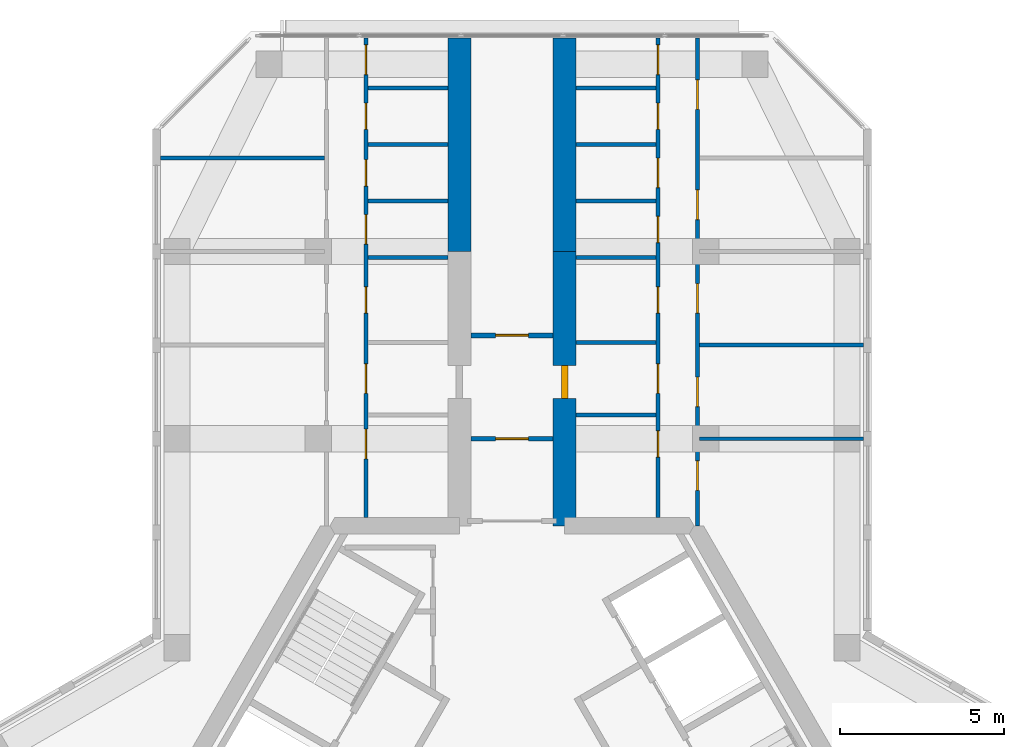
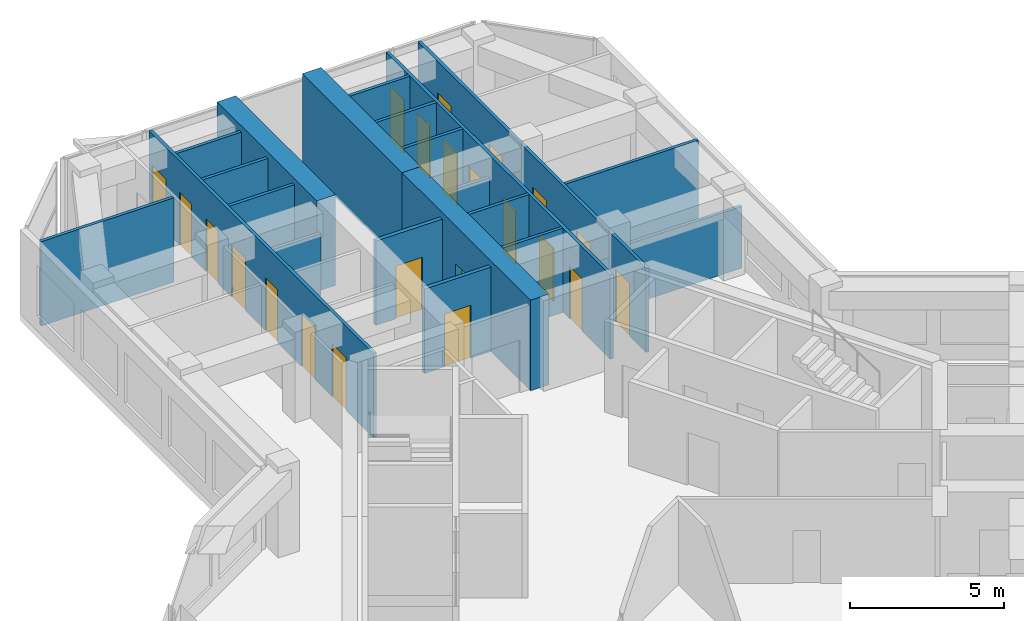
# One storey, part 12 of 14: 22 doors, 21 walls, 22 openings.
"""IFC4 building model written with IfcOpenShell, lengths in metres."""

from ifc_helpers import new_model, si_unit, direction, frame, frame_2d, origin, place, context, subcontext, project, spatial, rectangle, extrude, material, layer, layer_set, type_object, element, fill, save


model = new_model("IFC4")

# Units and contexts
model_context = context("Model", 3, precision=1e-05, world=origin(), true_north=direction((0.0, 1.0)))
body_context = subcontext(model_context, "Body", "Model", "MODEL_VIEW")
ifc_project = project(units=[si_unit("LENGTHUNIT", "METRE"), si_unit("AREAUNIT", "SQUARE_METRE"), si_unit("VOLUMEUNIT", "CUBIC_METRE"), si_unit("PLANEANGLEUNIT", "RADIAN"), si_unit("MASSUNIT", "GRAM", prefix="KILO")], contexts=[model_context])

# Site, building, storey
site_placement = place(None, origin())
site = spatial("IfcSite", under=ifc_project, at=site_placement, CompositionType="ELEMENT")
building_placement = place(site_placement, origin())
building = spatial("IfcBuilding", under=site, at=building_placement, Name="Kosmar Iwan School Tower", CompositionType="ELEMENT")
storey_placement = place(building_placement, frame((0.0, 0.0, 285.39990234375)))
storey = spatial("IfcBuildingStorey", under=building, at=storey_placement, Name="L72", CompositionType="ELEMENT", Elevation=285.39990234375)

# Wall
ifc_material_1 = material(Name="Concrete C50/60", Category="concrete")
ifc_layer_1 = layer(ifc_material_1, 0.699951171875)
ifc_layer_set_1 = layer_set([ifc_layer_1], Name="Corridor buttress wall 700")
wall_type_1 = type_object("IfcWallType", Name="Corridor buttress wall 700", PredefinedType="SHEAR", material=ifc_layer_set_1)
wall_1_placement = place(storey_placement, frame((-1.60009765625, 17.949951171875, 0.0), z_axis=(0.0, 0.0, 1.0), x_axis=(0.0, 1.0, 0.0)))
element("IfcWall", 1, at=wall_1_placement, inside=storey, type_object=wall_type_1, Name="Corridor wall AL bay 2", PredefinedType="SHEAR", context=body_context, shape_type="SweptSolid", body=[
    extrude(rectangle(XDim=6.4951171875, YDim=0.699951171875, at=frame_2d((3.24755859375, 0.0))), origin(), (0.0, 0.0, 1.0), 3.60009765625),
])

# Wall, opening, door
wall_2_placement = place(storey_placement, frame((1.60009765625, 9.60009765625, 0.0), z_axis=(0.0, 0.0, 1.0), x_axis=(0.0, 1.0, 0.0)))
wall_2 = element("IfcWall", 2, at=wall_2_placement, inside=storey, type_object=wall_type_1, Name="Corridor wall AR", PredefinedType="SHEAR", context=body_context, shape_type="SweptSolid", body=[
    extrude(rectangle(XDim=8.349853515625, YDim=0.699951171875, at=frame_2d((4.1748046875, 0.0))), origin(), (0.0, 0.0, 1.0), 3.60009765625),
])
opening_1_placement = place(wall_2_placement, frame((3.8798828125, 0.0, 0.0)))
opening_1 = element("IfcOpeningElement", 3, at=opening_1_placement, cuts=wall_2, Name="Opening D1", PredefinedType="OPENING", context=body_context, shape_type="SweptSolid", body=[
    extrude(rectangle(XDim=1.0, YDim=2.10009765625, at=frame_2d((0.5, 1.050048828125))), frame((0.0, 0.362060546875, 0.0), z_axis=(0.0, -1.0, 0.0), x_axis=(1.0, 0.0, 0.0)), (0.0, 0.0, 1.0), 0.723876953125),
])
ifc_material_2 = material(Name="Timber fire door in steel frame", Category="steel")
door_type_1 = type_object("IfcDoorType", Name="Flat entrance door 1000x2100", OperationType="SINGLE_SWING_LEFT", PredefinedType="DOOR", material=ifc_material_2)
door_1_placement = place(opening_1_placement, origin())
door_1 = element("IfcDoor", 4, at=door_1_placement, inside=storey, type_object=door_type_1, Name="Flat L72-AR1 entrance door", OperationType="SINGLE_SWING_RIGHT", OverallHeight=2.10009765625, OverallWidth=1.0, PredefinedType="DOOR", context=body_context, shape_type="SweptSolid", body=[
    extrude(rectangle(XDim=1.0, YDim=2.10009765625, at=frame_2d((0.5, 1.050048828125))), frame((0.0, 0.10009765625, 0.0), z_axis=(0.0, -1.0, 0.0), x_axis=(1.0, 0.0, 0.0)), (0.0, 0.0, 1.0), 0.199951171875),
])
fill(opening_1, door_1)

# Wall
wall_3_placement = place(storey_placement, frame((1.60009765625, 17.949951171875, 0.0), z_axis=(0.0, 0.0, 1.0), x_axis=(0.0, 1.0, 0.0)))
element("IfcWall", 5, at=wall_3_placement, inside=storey, type_object=wall_type_1, Name="Corridor wall AR bay 2", PredefinedType="SHEAR", context=body_context, shape_type="SweptSolid", body=[
    extrude(rectangle(XDim=6.4951171875, YDim=0.699951171875, at=frame_2d((3.24755859375, 0.0))), origin(), (0.0, 0.0, 1.0), 3.60009765625),
])

# Wall, opening, door
ifc_material_3 = material(Name="Gypsum board on steel studs, fire-rated", Category="steel")
ifc_layer_2 = layer(ifc_material_3, 0.14990234375)
ifc_layer_set_2 = layer_set([ifc_layer_2], Name="Corridor end wall 150")
wall_type_2 = type_object("IfcWallType", Name="Corridor end wall 150", PredefinedType="PARTITIONING", material=ifc_layer_set_2)
wall_4_placement = place(storey_placement, frame((1.25, 15.39990234375, 0.0), z_axis=(0.0, 0.0, 1.0), x_axis=(-1.0, 0.0, 0.0)))
wall_4 = element("IfcWall", 6, at=wall_4_placement, inside=storey, type_object=wall_type_2, Name="Partition L72-A-CE", PredefinedType="PARTITIONING", context=body_context, shape_type="SweptSolid", body=[
    extrude(rectangle(XDim=2.5, YDim=0.14990234375, at=frame_2d((1.25, 0.0))), origin(), (0.0, 0.0, 1.0), 3.35009765625),
])
opening_2_placement = place(wall_4_placement, frame((0.75, 0.0, 0.0)))
opening_2 = element("IfcOpeningElement", 7, at=opening_2_placement, cuts=wall_4, Name="Opening D13", PredefinedType="OPENING", context=body_context, shape_type="SweptSolid", body=[
    extrude(rectangle(XDim=1.0, YDim=2.10009765625, at=frame_2d((0.5, 1.050048828125))), frame((0.0, 0.0869140625, 0.0), z_axis=(0.0, -1.0, 0.0), x_axis=(1.0, 0.0, 0.0)), (0.0, 0.0, 1.0), 0.173828125),
])
ifc_material_4 = material(Name="Timber fire door with vision panel", Category="wood")
door_type_2 = type_object("IfcDoorType", Name="Corridor end door 1000x2100", OperationType="SINGLE_SWING_LEFT", PredefinedType="DOOR", material=ifc_material_4)
door_2_placement = place(opening_2_placement, origin())
door_2 = element("IfcDoor", 8, at=door_2_placement, inside=storey, type_object=door_type_2, Name="Laundry and drying room door L72-A", OperationType="SINGLE_SWING_RIGHT", OverallHeight=2.10009765625, OverallWidth=1.0, PredefinedType="DOOR", context=body_context, shape_type="SweptSolid", body=[
    extrude(rectangle(XDim=1.0, YDim=2.10009765625, at=frame_2d((0.5, 1.050048828125))), frame((0.0, 0.02490234375, 0.0), z_axis=(0.0, -1.0, 0.0), x_axis=(1.0, 0.0, 0.0)), (0.0, 0.0, 1.0), 0.050048828125),
])
fill(opening_2, door_2)

wall_5_placement = place(storey_placement, frame((1.25, 12.25, 0.0), z_axis=(0.0, 0.0, 1.0), x_axis=(-1.0, 0.0, 0.0)))
wall_5 = element("IfcWall", 9, at=wall_5_placement, inside=storey, type_object=wall_type_2, Name="Partition L72-A-HW", PredefinedType="PARTITIONING", context=body_context, shape_type="SweptSolid", body=[
    extrude(rectangle(XDim=2.5, YDim=0.14990234375, at=frame_2d((1.25, 0.0))), origin(), (0.0, 0.0, 1.0), 3.35009765625),
])
opening_3_placement = place(wall_5_placement, frame((0.75, 0.0, 0.0)))
opening_3 = element("IfcOpeningElement", 10, at=opening_3_placement, cuts=wall_5, Name="Opening D13", PredefinedType="OPENING", context=body_context, shape_type="SweptSolid", body=[
    extrude(rectangle(XDim=1.0, YDim=2.10009765625, at=frame_2d((0.5, 1.050048828125))), frame((0.0, 0.0869140625, 0.0), z_axis=(0.0, -1.0, 0.0), x_axis=(1.0, 0.0, 0.0)), (0.0, 0.0, 1.0), 0.173828125),
])
door_3_placement = place(opening_3_placement, origin())
door_3 = element("IfcDoor", 11, at=door_3_placement, inside=storey, type_object=door_type_2, Name="Entrance door L72-A", OperationType="SINGLE_SWING_LEFT", OverallHeight=2.10009765625, OverallWidth=1.0, PredefinedType="DOOR", context=body_context, shape_type="SweptSolid", body=[
    extrude(rectangle(XDim=1.0, YDim=2.10009765625, at=frame_2d((0.5, 1.050048828125))), frame((0.0, 0.02490234375, 0.0), z_axis=(0.0, -1.0, 0.0), x_axis=(1.0, 0.0, 0.0)), (0.0, 0.0, 1.0), 0.050048828125),
])
fill(opening_3, door_3)

# Wall, openings, doors
ifc_material_5 = material(Name="Gypsum board on steel studs", Category="steel")
ifc_layer_3 = layer(ifc_material_5, 0.1201171875)
ifc_layer_set_3 = layer_set([ifc_layer_3], Name="Dwelling partition 120")
wall_type_3 = type_object("IfcWallType", Name="Dwelling partition 120", PredefinedType="PARTITIONING", material=ifc_layer_set_3)
wall_6_placement = place(storey_placement, frame((-4.449951171875, 9.85009765625, 0.0), z_axis=(0.0, 0.0, 1.0), x_axis=(0.0, 1.0, 0.0)))
wall_6 = element("IfcWall", 12, at=wall_6_placement, inside=storey, type_object=wall_type_3, Name="Partition L72-AL1-W1", PredefinedType="PARTITIONING", context=body_context, shape_type="SweptSolid", body=[
    extrude(rectangle(XDim=14.594970703125, YDim=0.1201171875, at=frame_2d((7.29736328125, 0.0))), origin(), (0.0, 0.0, 1.0), 3.35009765625),
])
opening_4_placement = place(wall_6_placement, frame((1.7900390625, 0.0, 0.0)))
opening_4 = element("IfcOpeningElement", 13, at=opening_4_placement, cuts=wall_6, Name="Opening D2", PredefinedType="OPENING", context=body_context, shape_type="SweptSolid", body=[
    extrude(rectangle(XDim=0.89990234375, YDim=2.10009765625, at=frame_2d((0.449951171875, 1.050048828125))), frame((0.0, 0.072021484375, 0.0), z_axis=(0.0, -1.0, 0.0), x_axis=(1.0, 0.0, 0.0)), (0.0, 0.0, 1.0), 0.14404296875),
])
opening_5_placement = place(wall_6_placement, frame((3.780029296875, 0.0, 0.0)))
opening_5 = element("IfcOpeningElement", 14, at=opening_5_placement, cuts=wall_6, Name="Opening D2", PredefinedType="OPENING", context=body_context, shape_type="SweptSolid", body=[
    extrude(rectangle(XDim=0.89990234375, YDim=2.10009765625, at=frame_2d((0.449951171875, 1.050048828125))), frame((0.0, 0.072021484375, 0.0), z_axis=(0.0, -1.0, 0.0), x_axis=(1.0, 0.0, 0.0)), (0.0, 0.0, 1.0), 0.14404296875),
])
opening_6_placement = place(wall_6_placement, frame((6.221435546875, 0.0, 0.0)))
opening_6 = element("IfcOpeningElement", 15, at=opening_6_placement, cuts=wall_6, Name="Opening D3", PredefinedType="OPENING", context=body_context, shape_type="SweptSolid", body=[
    extrude(rectangle(XDim=0.800048828125, YDim=2.10009765625, at=frame_2d((0.39990234375, 1.050048828125))), frame((0.0, 0.072021484375, 0.0), z_axis=(0.0, -1.0, 0.0), x_axis=(1.0, 0.0, 0.0)), (0.0, 0.0, 1.0), 0.14404296875),
])
opening_7_placement = place(wall_6_placement, frame((8.32373046875, 0.0, 0.0)))
opening_7 = element("IfcOpeningElement", 16, at=opening_7_placement, cuts=wall_6, Name="Opening D2", PredefinedType="OPENING", context=body_context, shape_type="SweptSolid", body=[
    extrude(rectangle(XDim=0.89990234375, YDim=2.10009765625, at=frame_2d((0.449951171875, 1.050048828125))), frame((0.0, 0.072021484375, 0.0), z_axis=(0.0, -1.0, 0.0), x_axis=(1.0, 0.0, 0.0)), (0.0, 0.0, 1.0), 0.14404296875),
])
opening_8_placement = place(wall_6_placement, frame((10.095458984375, 0.0, 0.0)))
opening_8 = element("IfcOpeningElement", 17, at=opening_8_placement, cuts=wall_6, Name="Opening D3", PredefinedType="OPENING", context=body_context, shape_type="SweptSolid", body=[
    extrude(rectangle(XDim=0.800048828125, YDim=2.10009765625, at=frame_2d((0.39990234375, 1.050048828125))), frame((0.0, 0.072021484375, 0.0), z_axis=(0.0, -1.0, 0.0), x_axis=(1.0, 0.0, 0.0)), (0.0, 0.0, 1.0), 0.14404296875),
])
opening_9_placement = place(wall_6_placement, frame((11.8173828125, 0.0, 0.0)))
opening_9 = element("IfcOpeningElement", 18, at=opening_9_placement, cuts=wall_6, Name="Opening D3", PredefinedType="OPENING", context=body_context, shape_type="SweptSolid", body=[
    extrude(rectangle(XDim=0.800048828125, YDim=2.10009765625, at=frame_2d((0.39990234375, 1.050048828125))), frame((0.0, 0.072021484375, 0.0), z_axis=(0.0, -1.0, 0.0), x_axis=(1.0, 0.0, 0.0)), (0.0, 0.0, 1.0), 0.14404296875),
])
opening_10_placement = place(wall_6_placement, frame((13.489013671875, 0.0, 0.0)))
opening_10 = element("IfcOpeningElement", 19, at=opening_10_placement, cuts=wall_6, Name="Opening D2", PredefinedType="OPENING", context=body_context, shape_type="SweptSolid", body=[
    extrude(rectangle(XDim=0.89990234375, YDim=2.10009765625, at=frame_2d((0.449951171875, 1.050048828125))), frame((0.0, 0.072021484375, 0.0), z_axis=(0.0, -1.0, 0.0), x_axis=(1.0, 0.0, 0.0)), (0.0, 0.0, 1.0), 0.14404296875),
])
ifc_material_6 = material(Name="Timber door in timber frame", Category="wood")
door_type_3 = type_object("IfcDoorType", Name="Internal door 900x2100", OperationType="SINGLE_SWING_LEFT", PredefinedType="DOOR", material=ifc_material_6)
door_4_placement = place(opening_4_placement, origin())
door_4 = element("IfcDoor", 20, at=door_4_placement, inside=storey, type_object=door_type_3, Name="Utility room door L72-AL1-S1", OperationType="SINGLE_SWING_LEFT", OverallHeight=2.10009765625, OverallWidth=0.89990234375, PredefinedType="DOOR", context=body_context, shape_type="SweptSolid", body=[
    extrude(rectangle(XDim=0.89990234375, YDim=2.10009765625, at=frame_2d((0.449951171875, 1.050048828125))), frame((0.0, 0.02490234375, 0.0), z_axis=(0.0, -1.0, 0.0), x_axis=(1.0, 0.0, 0.0)), (0.0, 0.0, 1.0), 0.050048828125),
])
fill(opening_4, door_4)
door_5_placement = place(opening_5_placement, origin())
door_5 = element("IfcDoor", 21, at=door_5_placement, inside=storey, type_object=door_type_3, Name="Entrance hall door L72-AL1-S2", OperationType="SINGLE_SWING_LEFT", OverallHeight=2.10009765625, OverallWidth=0.89990234375, PredefinedType="DOOR", context=body_context, shape_type="SweptSolid", body=[
    extrude(rectangle(XDim=0.89990234375, YDim=2.10009765625, at=frame_2d((0.449951171875, 1.050048828125))), frame((0.0, 0.02490234375, 0.0), z_axis=(0.0, -1.0, 0.0), x_axis=(1.0, 0.0, 0.0)), (0.0, 0.0, 1.0), 0.050048828125),
])
fill(opening_5, door_5)
door_6_placement = place(opening_7_placement, origin())
door_6 = element("IfcDoor", 22, at=door_6_placement, inside=storey, type_object=door_type_3, Name="Pantry door L72-AL1-S4", OperationType="SINGLE_SWING_RIGHT", OverallHeight=2.10009765625, OverallWidth=0.89990234375, PredefinedType="DOOR", context=body_context, shape_type="SweptSolid", body=[
    extrude(rectangle(XDim=0.89990234375, YDim=2.10009765625, at=frame_2d((0.449951171875, 1.050048828125))), frame((0.0, 0.02490234375, 0.0), z_axis=(0.0, -1.0, 0.0), x_axis=(1.0, 0.0, 0.0)), (0.0, 0.0, 1.0), 0.050048828125),
])
fill(opening_7, door_6)
door_7_placement = place(opening_10_placement, origin())
door_7 = element("IfcDoor", 23, at=door_7_placement, inside=storey, type_object=door_type_3, Name="Dressing room door L72-AL1-S7", OperationType="SINGLE_SWING_RIGHT", OverallHeight=2.10009765625, OverallWidth=0.89990234375, PredefinedType="DOOR", context=body_context, shape_type="SweptSolid", body=[
    extrude(rectangle(XDim=0.89990234375, YDim=2.10009765625, at=frame_2d((0.449951171875, 1.050048828125))), frame((0.0, 0.02490234375, 0.0), z_axis=(0.0, -1.0, 0.0), x_axis=(1.0, 0.0, 0.0)), (0.0, 0.0, 1.0), 0.050048828125),
])
fill(opening_10, door_7)
ifc_material_7 = material(Name="Timber door in timber frame", Category="wood")
door_type_4 = type_object("IfcDoorType", Name="Sanitary room door 800x2100", OperationType="SINGLE_SWING_LEFT", PredefinedType="DOOR", material=ifc_material_7)
door_8_placement = place(opening_6_placement, origin())
door_8 = element("IfcDoor", 24, at=door_8_placement, inside=storey, type_object=door_type_4, Name="Bathroom door L72-AL1-S3", OperationType="SINGLE_SWING_LEFT", OverallHeight=2.10009765625, OverallWidth=0.800048828125, PredefinedType="DOOR", context=body_context, shape_type="SweptSolid", body=[
    extrude(rectangle(XDim=0.800048828125, YDim=2.10009765625, at=frame_2d((0.39990234375, 1.050048828125))), frame((0.0, 0.02490234375, 0.0), z_axis=(0.0, -1.0, 0.0), x_axis=(1.0, 0.0, 0.0)), (0.0, 0.0, 1.0), 0.050048828125),
])
fill(opening_6, door_8)
door_9_placement = place(opening_8_placement, origin())
door_9 = element("IfcDoor", 25, at=door_9_placement, inside=storey, type_object=door_type_4, Name="WC door L72-AL1-S5", OperationType="SINGLE_SWING_RIGHT", OverallHeight=2.10009765625, OverallWidth=0.800048828125, PredefinedType="DOOR", context=body_context, shape_type="SweptSolid", body=[
    extrude(rectangle(XDim=0.800048828125, YDim=2.10009765625, at=frame_2d((0.39990234375, 1.050048828125))), frame((0.0, 0.02490234375, 0.0), z_axis=(0.0, -1.0, 0.0), x_axis=(1.0, 0.0, 0.0)), (0.0, 0.0, 1.0), 0.050048828125),
])
fill(opening_8, door_9)
door_10_placement = place(opening_9_placement, origin())
door_10 = element("IfcDoor", 26, at=door_10_placement, inside=storey, type_object=door_type_4, Name="Store door L72-AL1-S6", OperationType="SINGLE_SWING_RIGHT", OverallHeight=2.10009765625, OverallWidth=0.800048828125, PredefinedType="DOOR", context=body_context, shape_type="SweptSolid", body=[
    extrude(rectangle(XDim=0.800048828125, YDim=2.10009765625, at=frame_2d((0.39990234375, 1.050048828125))), frame((0.0, 0.02490234375, 0.0), z_axis=(0.0, -1.0, 0.0), x_axis=(1.0, 0.0, 0.0)), (0.0, 0.0, 1.0), 0.050048828125),
])
fill(opening_9, door_10)

# Walls
wall_7_placement = place(storey_placement, frame((-5.7099609375, 20.800048828125, 0.0), z_axis=(0.0, 0.0, 1.0), x_axis=(-1.0, 0.0, 0.0)))
element("IfcWall", 27, at=wall_7_placement, inside=storey, type_object=wall_type_3, Name="Partition L72-AL1-X3", PredefinedType="PARTITIONING", context=body_context, shape_type="SweptSolid", body=[
    extrude(rectangle(XDim=4.989990234375, YDim=0.1201171875, at=frame_2d((2.4951171875, 0.0))), origin(), (0.0, 0.0, 1.0), 3.35009765625),
])
wall_8_placement = place(storey_placement, frame((-1.949951171875, 17.7626953125, 0.0), z_axis=(0.0, 0.0, 1.0), x_axis=(-1.0, 0.0, 0.0)))
element("IfcWall", 28, at=wall_8_placement, inside=storey, type_object=wall_type_3, Name="Partition L72-AL1-Y3", PredefinedType="PARTITIONING", context=body_context, shape_type="SweptSolid", body=[
    extrude(rectangle(XDim=2.43994140625, YDim=0.1201171875, at=frame_2d((1.219970703125, 0.0))), origin(), (0.0, 0.0, 1.0), 2.4501953125),
])
for number, where, z_axis, x_axis, name in (
    (29, (-1.949951171875, 19.484619140625, 0.0), (0.0, 0.0, 1.0), (-1.0, 0.0, 0.0), "Partition L72-AL1-Y4"),
    (30, (-1.949951171875, 21.206298828125, 0.0), (0.0, 0.0, 1.0), (-1.0, 0.0, 0.0), "Partition L72-AL1-Y5"),
    (31, (-1.949951171875, 22.92822265625, 0.0), (0.0, 0.0, 1.0), (-1.0, 0.0, 0.0), "Partition L72-AL1-Y6"),
):
    element("IfcWall", number, at=place(storey_placement, frame(where, z_axis=z_axis, x_axis=x_axis)), inside=storey, type_object=wall_type_3, Name=name, PredefinedType="PARTITIONING", context=body_context, shape_type="SweptSolid", body=[
        extrude(rectangle(XDim=2.43994140625, YDim=0.1201171875, at=frame_2d((1.219970703125, 0.0))), origin(), (0.0, 0.0, 1.0), 3.35009765625),
    ])

# Wall, openings, doors
wall_9_placement = place(storey_placement, frame((4.449951171875, 9.85009765625, 0.0), z_axis=(0.0, 0.0, 1.0), x_axis=(0.0, 1.0, 0.0)))
wall_9 = element("IfcWall", 32, at=wall_9_placement, inside=storey, type_object=wall_type_3, Name="Partition L72-AR1-W1", PredefinedType="PARTITIONING", context=body_context, shape_type="SweptSolid", body=[
    extrude(rectangle(XDim=14.594970703125, YDim=0.1201171875, at=frame_2d((7.29736328125, 0.0))), origin(), (0.0, 0.0, 1.0), 3.35009765625),
])
opening_11_placement = place(wall_9_placement, frame((1.840087890625, 0.0, 0.0)))
opening_11 = element("IfcOpeningElement", 33, at=opening_11_placement, cuts=wall_9, Name="Opening D3", PredefinedType="OPENING", context=body_context, shape_type="SweptSolid", body=[
    extrude(rectangle(XDim=0.800048828125, YDim=2.10009765625, at=frame_2d((0.39990234375, 1.050048828125))), frame((0.0, 0.072021484375, 0.0), z_axis=(0.0, -1.0, 0.0), x_axis=(1.0, 0.0, 0.0)), (0.0, 0.0, 1.0), 0.14404296875),
])
opening_12_placement = place(wall_9_placement, frame((3.780029296875, 0.0, 0.0)))
opening_12 = element("IfcOpeningElement", 34, at=opening_12_placement, cuts=wall_9, Name="Opening D2", PredefinedType="OPENING", context=body_context, shape_type="SweptSolid", body=[
    extrude(rectangle(XDim=0.89990234375, YDim=2.10009765625, at=frame_2d((0.449951171875, 1.050048828125))), frame((0.0, 0.072021484375, 0.0), z_axis=(0.0, -1.0, 0.0), x_axis=(1.0, 0.0, 0.0)), (0.0, 0.0, 1.0), 0.14404296875),
])
opening_13_placement = place(wall_9_placement, frame((6.221435546875, 0.0, 0.0)))
opening_13 = element("IfcOpeningElement", 35, at=opening_13_placement, cuts=wall_9, Name="Opening D3", PredefinedType="OPENING", context=body_context, shape_type="SweptSolid", body=[
    extrude(rectangle(XDim=0.800048828125, YDim=2.10009765625, at=frame_2d((0.39990234375, 1.050048828125))), frame((0.0, 0.072021484375, 0.0), z_axis=(0.0, -1.0, 0.0), x_axis=(1.0, 0.0, 0.0)), (0.0, 0.0, 1.0), 0.14404296875),
])
opening_14_placement = place(wall_9_placement, frame((8.37353515625, 0.0, 0.0)))
opening_14 = element("IfcOpeningElement", 36, at=opening_14_placement, cuts=wall_9, Name="Opening D3", PredefinedType="OPENING", context=body_context, shape_type="SweptSolid", body=[
    extrude(rectangle(XDim=0.800048828125, YDim=2.10009765625, at=frame_2d((0.39990234375, 1.050048828125))), frame((0.0, 0.072021484375, 0.0), z_axis=(0.0, -1.0, 0.0), x_axis=(1.0, 0.0, 0.0)), (0.0, 0.0, 1.0), 0.14404296875),
])
opening_15_placement = place(wall_9_placement, frame((10.04541015625, 0.0, 0.0)))
opening_15 = element("IfcOpeningElement", 37, at=opening_15_placement, cuts=wall_9, Name="Opening D2", PredefinedType="OPENING", context=body_context, shape_type="SweptSolid", body=[
    extrude(rectangle(XDim=0.89990234375, YDim=2.10009765625, at=frame_2d((0.449951171875, 1.050048828125))), frame((0.0, 0.072021484375, 0.0), z_axis=(0.0, -1.0, 0.0), x_axis=(1.0, 0.0, 0.0)), (0.0, 0.0, 1.0), 0.14404296875),
])
opening_16_placement = place(wall_9_placement, frame((11.8173828125, 0.0, 0.0)))
opening_16 = element("IfcOpeningElement", 38, at=opening_16_placement, cuts=wall_9, Name="Opening D3", PredefinedType="OPENING", context=body_context, shape_type="SweptSolid", body=[
    extrude(rectangle(XDim=0.800048828125, YDim=2.10009765625, at=frame_2d((0.39990234375, 1.050048828125))), frame((0.0, 0.072021484375, 0.0), z_axis=(0.0, -1.0, 0.0), x_axis=(1.0, 0.0, 0.0)), (0.0, 0.0, 1.0), 0.14404296875),
])
opening_17_placement = place(wall_9_placement, frame((13.489013671875, 0.0, 0.0)))
opening_17 = element("IfcOpeningElement", 39, at=opening_17_placement, cuts=wall_9, Name="Opening D2", PredefinedType="OPENING", context=body_context, shape_type="SweptSolid", body=[
    extrude(rectangle(XDim=0.89990234375, YDim=2.10009765625, at=frame_2d((0.449951171875, 1.050048828125))), frame((0.0, 0.072021484375, 0.0), z_axis=(0.0, -1.0, 0.0), x_axis=(1.0, 0.0, 0.0)), (0.0, 0.0, 1.0), 0.14404296875),
])
door_11_placement = place(opening_12_placement, origin())
door_11 = element("IfcDoor", 40, at=door_11_placement, inside=storey, type_object=door_type_3, Name="Entrance hall door L72-AR1-S2", OperationType="SINGLE_SWING_RIGHT", OverallHeight=2.10009765625, OverallWidth=0.89990234375, PredefinedType="DOOR", context=body_context, shape_type="SweptSolid", body=[
    extrude(rectangle(XDim=0.89990234375, YDim=2.10009765625, at=frame_2d((0.449951171875, 1.050048828125))), frame((0.0, 0.02490234375, 0.0), z_axis=(0.0, -1.0, 0.0), x_axis=(1.0, 0.0, 0.0)), (0.0, 0.0, 1.0), 0.050048828125),
])
fill(opening_12, door_11)
door_12_placement = place(opening_15_placement, origin())
door_12 = element("IfcDoor", 41, at=door_12_placement, inside=storey, type_object=door_type_3, Name="Pantry door L72-AR1-S5", OperationType="SINGLE_SWING_LEFT", OverallHeight=2.10009765625, OverallWidth=0.89990234375, PredefinedType="DOOR", context=body_context, shape_type="SweptSolid", body=[
    extrude(rectangle(XDim=0.89990234375, YDim=2.10009765625, at=frame_2d((0.449951171875, 1.050048828125))), frame((0.0, 0.02490234375, 0.0), z_axis=(0.0, -1.0, 0.0), x_axis=(1.0, 0.0, 0.0)), (0.0, 0.0, 1.0), 0.050048828125),
])
fill(opening_15, door_12)
door_13_placement = place(opening_17_placement, origin())
door_13 = element("IfcDoor", 42, at=door_13_placement, inside=storey, type_object=door_type_3, Name="Utility room door L72-AR1-S7", OperationType="SINGLE_SWING_RIGHT", OverallHeight=2.10009765625, OverallWidth=0.89990234375, PredefinedType="DOOR", context=body_context, shape_type="SweptSolid", body=[
    extrude(rectangle(XDim=0.89990234375, YDim=2.10009765625, at=frame_2d((0.449951171875, 1.050048828125))), frame((0.0, 0.02490234375, 0.0), z_axis=(0.0, -1.0, 0.0), x_axis=(1.0, 0.0, 0.0)), (0.0, 0.0, 1.0), 0.050048828125),
])
fill(opening_17, door_13)
door_14_placement = place(opening_11_placement, origin())
door_14 = element("IfcDoor", 43, at=door_14_placement, inside=storey, type_object=door_type_4, Name="Store door L72-AR1-S1", OperationType="SINGLE_SWING_RIGHT", OverallHeight=2.10009765625, OverallWidth=0.800048828125, PredefinedType="DOOR", context=body_context, shape_type="SweptSolid", body=[
    extrude(rectangle(XDim=0.800048828125, YDim=2.10009765625, at=frame_2d((0.39990234375, 1.050048828125))), frame((0.0, 0.02490234375, 0.0), z_axis=(0.0, -1.0, 0.0), x_axis=(1.0, 0.0, 0.0)), (0.0, 0.0, 1.0), 0.050048828125),
])
fill(opening_11, door_14)
door_15_placement = place(opening_13_placement, origin())
door_15 = element("IfcDoor", 44, at=door_15_placement, inside=storey, type_object=door_type_4, Name="Bathroom door L72-AR1-S3", OperationType="SINGLE_SWING_LEFT", OverallHeight=2.10009765625, OverallWidth=0.800048828125, PredefinedType="DOOR", context=body_context, shape_type="SweptSolid", body=[
    extrude(rectangle(XDim=0.800048828125, YDim=2.10009765625, at=frame_2d((0.39990234375, 1.050048828125))), frame((0.0, 0.02490234375, 0.0), z_axis=(0.0, -1.0, 0.0), x_axis=(1.0, 0.0, 0.0)), (0.0, 0.0, 1.0), 0.050048828125),
])
fill(opening_13, door_15)
door_16_placement = place(opening_14_placement, origin())
door_16 = element("IfcDoor", 45, at=door_16_placement, inside=storey, type_object=door_type_4, Name="Shower room door L72-AR1-S4", OperationType="SINGLE_SWING_RIGHT", OverallHeight=2.10009765625, OverallWidth=0.800048828125, PredefinedType="DOOR", context=body_context, shape_type="SweptSolid", body=[
    extrude(rectangle(XDim=0.800048828125, YDim=2.10009765625, at=frame_2d((0.39990234375, 1.050048828125))), frame((0.0, 0.02490234375, 0.0), z_axis=(0.0, -1.0, 0.0), x_axis=(1.0, 0.0, 0.0)), (0.0, 0.0, 1.0), 0.050048828125),
])
fill(opening_14, door_16)
door_17_placement = place(opening_16_placement, origin())
door_17 = element("IfcDoor", 46, at=door_17_placement, inside=storey, type_object=door_type_4, Name="WC door L72-AR1-S6", OperationType="SINGLE_SWING_RIGHT", OverallHeight=2.10009765625, OverallWidth=0.800048828125, PredefinedType="DOOR", context=body_context, shape_type="SweptSolid", body=[
    extrude(rectangle(XDim=0.800048828125, YDim=2.10009765625, at=frame_2d((0.39990234375, 1.050048828125))), frame((0.0, 0.02490234375, 0.0), z_axis=(0.0, -1.0, 0.0), x_axis=(1.0, 0.0, 0.0)), (0.0, 0.0, 1.0), 0.050048828125),
])
fill(opening_16, door_17)

wall_10_placement = place(storey_placement, frame((5.64990234375, 9.60009765625, 0.0), z_axis=(0.0, 0.0, 1.0), x_axis=(0.0, 1.0, 0.0)))
wall_10 = element("IfcWall", 47, at=wall_10_placement, inside=storey, type_object=wall_type_3, Name="Partition L72-AR1-W2", PredefinedType="PARTITIONING", context=body_context, shape_type="SweptSolid", body=[
    extrude(rectangle(XDim=14.844970703125, YDim=0.1201171875, at=frame_2d((7.42236328125, 0.0))), origin(), (0.0, 0.0, 1.0), 3.35009765625),
])
opening_18_placement = place(wall_10_placement, frame((1.074951171875, 0.0, 0.0)))
opening_18 = element("IfcOpeningElement", 48, at=opening_18_placement, cuts=wall_10, Name="Opening D2", PredefinedType="OPENING", context=body_context, shape_type="SweptSolid", body=[
    extrude(rectangle(XDim=0.89990234375, YDim=2.10009765625, at=frame_2d((0.449951171875, 1.050048828125))), frame((0.0, 0.072021484375, 0.0), z_axis=(0.0, -1.0, 0.0), x_axis=(1.0, 0.0, 0.0)), (0.0, 0.0, 1.0), 0.14404296875),
])
opening_19_placement = place(wall_10_placement, frame((3.625, 0.0, 0.0)))
opening_19 = element("IfcOpeningElement", 49, at=opening_19_placement, cuts=wall_10, Name="Opening D2", PredefinedType="OPENING", context=body_context, shape_type="SweptSolid", body=[
    extrude(rectangle(XDim=0.89990234375, YDim=2.10009765625, at=frame_2d((0.449951171875, 1.050048828125))), frame((0.0, 0.072021484375, 0.0), z_axis=(0.0, -1.0, 0.0), x_axis=(1.0, 0.0, 0.0)), (0.0, 0.0, 1.0), 0.14404296875),
])
opening_20_placement = place(wall_10_placement, frame((6.47509765625, 0.0, 0.0)))
opening_20 = element("IfcOpeningElement", 50, at=opening_20_placement, cuts=wall_10, Name="Opening D2", PredefinedType="OPENING", context=body_context, shape_type="SweptSolid", body=[
    extrude(rectangle(XDim=0.89990234375, YDim=2.10009765625, at=frame_2d((0.449951171875, 1.050048828125))), frame((0.0, 0.072021484375, 0.0), z_axis=(0.0, -1.0, 0.0), x_axis=(1.0, 0.0, 0.0)), (0.0, 0.0, 1.0), 0.14404296875),
])
opening_21_placement = place(wall_10_placement, frame((9.324951171875, 0.0, 0.0)))
opening_21 = element("IfcOpeningElement", 51, at=opening_21_placement, cuts=wall_10, Name="Opening D2", PredefinedType="OPENING", context=body_context, shape_type="SweptSolid", body=[
    extrude(rectangle(XDim=0.89990234375, YDim=2.10009765625, at=frame_2d((0.449951171875, 1.050048828125))), frame((0.0, 0.072021484375, 0.0), z_axis=(0.0, -1.0, 0.0), x_axis=(1.0, 0.0, 0.0)), (0.0, 0.0, 1.0), 0.14404296875),
])
opening_22_placement = place(wall_10_placement, frame((12.675048828125, 0.0, 0.0)))
opening_22 = element("IfcOpeningElement", 52, at=opening_22_placement, cuts=wall_10, Name="Opening D2", PredefinedType="OPENING", context=body_context, shape_type="SweptSolid", body=[
    extrude(rectangle(XDim=0.89990234375, YDim=2.10009765625, at=frame_2d((0.449951171875, 1.050048828125))), frame((0.0, 0.072021484375, 0.0), z_axis=(0.0, -1.0, 0.0), x_axis=(1.0, 0.0, 0.0)), (0.0, 0.0, 1.0), 0.14404296875),
])
door_18_placement = place(opening_18_placement, origin())
door_18 = element("IfcDoor", 53, at=door_18_placement, inside=storey, type_object=door_type_3, Name="Living room and kitchen door L72-AR1-F1", OperationType="SINGLE_SWING_LEFT", OverallHeight=2.10009765625, OverallWidth=0.89990234375, PredefinedType="DOOR", context=body_context, shape_type="SweptSolid", body=[
    extrude(rectangle(XDim=0.89990234375, YDim=2.10009765625, at=frame_2d((0.449951171875, 1.050048828125))), frame((0.0, 0.02490234375, 0.0), z_axis=(0.0, -1.0, 0.0), x_axis=(1.0, 0.0, 0.0)), (0.0, 0.0, 1.0), 0.050048828125),
])
fill(opening_18, door_18)
door_19_placement = place(opening_19_placement, origin())
door_19 = element("IfcDoor", 54, at=door_19_placement, inside=storey, type_object=door_type_3, Name="Study door L72-AR1-F2", OperationType="SINGLE_SWING_LEFT", OverallHeight=2.10009765625, OverallWidth=0.89990234375, PredefinedType="DOOR", context=body_context, shape_type="SweptSolid", body=[
    extrude(rectangle(XDim=0.89990234375, YDim=2.10009765625, at=frame_2d((0.449951171875, 1.050048828125))), frame((0.0, 0.02490234375, 0.0), z_axis=(0.0, -1.0, 0.0), x_axis=(1.0, 0.0, 0.0)), (0.0, 0.0, 1.0), 0.050048828125),
])
fill(opening_19, door_19)
door_20_placement = place(opening_20_placement, origin())
door_20 = element("IfcDoor", 55, at=door_20_placement, inside=storey, type_object=door_type_3, Name="Bedroom 2 door L72-AR1-F3", OperationType="SINGLE_SWING_LEFT", OverallHeight=2.10009765625, OverallWidth=0.89990234375, PredefinedType="DOOR", context=body_context, shape_type="SweptSolid", body=[
    extrude(rectangle(XDim=0.89990234375, YDim=2.10009765625, at=frame_2d((0.449951171875, 1.050048828125))), frame((0.0, 0.02490234375, 0.0), z_axis=(0.0, -1.0, 0.0), x_axis=(1.0, 0.0, 0.0)), (0.0, 0.0, 1.0), 0.050048828125),
])
fill(opening_20, door_20)
door_21_placement = place(opening_21_placement, origin())
door_21 = element("IfcDoor", 56, at=door_21_placement, inside=storey, type_object=door_type_3, Name="Dining room door L72-AR1-F4", OperationType="SINGLE_SWING_RIGHT", OverallHeight=2.10009765625, OverallWidth=0.89990234375, PredefinedType="DOOR", context=body_context, shape_type="SweptSolid", body=[
    extrude(rectangle(XDim=0.89990234375, YDim=2.10009765625, at=frame_2d((0.449951171875, 1.050048828125))), frame((0.0, 0.02490234375, 0.0), z_axis=(0.0, -1.0, 0.0), x_axis=(1.0, 0.0, 0.0)), (0.0, 0.0, 1.0), 0.050048828125),
])
fill(opening_21, door_21)
door_22_placement = place(opening_22_placement, origin())
door_22 = element("IfcDoor", 57, at=door_22_placement, inside=storey, type_object=door_type_3, Name="Bedroom 1 door L72-AR1-F5", OperationType="SINGLE_SWING_RIGHT", OverallHeight=2.10009765625, OverallWidth=0.89990234375, PredefinedType="DOOR", context=body_context, shape_type="SweptSolid", body=[
    extrude(rectangle(XDim=0.89990234375, YDim=2.10009765625, at=frame_2d((0.449951171875, 1.050048828125))), frame((0.0, 0.02490234375, 0.0), z_axis=(0.0, -1.0, 0.0), x_axis=(1.0, 0.0, 0.0)), (0.0, 0.0, 1.0), 0.050048828125),
])
fill(opening_22, door_22)

# Walls
wall_11_placement = place(storey_placement, frame((5.7099609375, 12.25, 0.0), z_axis=(0.0, 0.0, 1.0), x_axis=(1.0, 0.0, 0.0)))
element("IfcWall", 58, at=wall_11_placement, inside=storey, type_object=wall_type_3, Name="Partition L72-AR1-X1", PredefinedType="PARTITIONING", context=body_context, shape_type="SweptSolid", body=[
    extrude(rectangle(XDim=4.989990234375, YDim=0.1201171875, at=frame_2d((2.4951171875, 0.0))), origin(), (0.0, 0.0, 1.0), 2.4501953125),
])
wall_12_placement = place(storey_placement, frame((5.7099609375, 15.10009765625, 0.0), z_axis=(0.0, 0.0, 1.0), x_axis=(1.0, 0.0, 0.0)))
element("IfcWall", 59, at=wall_12_placement, inside=storey, type_object=wall_type_3, Name="Partition L72-AR1-X2", PredefinedType="PARTITIONING", context=body_context, shape_type="SweptSolid", body=[
    extrude(rectangle(XDim=4.989990234375, YDim=0.1201171875, at=frame_2d((2.4951171875, 0.0))), origin(), (0.0, 0.0, 1.0), 3.35009765625),
])
for number, where, z_axis, x_axis, name in (
    (60, (1.949951171875, 12.97998046875, 0.0), (0.0, 0.0, 1.0), (1.0, 0.0, 0.0), "Partition L72-AR1-Y1"),
    (61, (1.949951171875, 15.179931640625, 0.0), (0.0, 0.0, 1.0), (1.0, 0.0, 0.0), "Partition L72-AR1-Y2"),
):
    element("IfcWall", number, at=place(storey_placement, frame(where, z_axis=z_axis, x_axis=x_axis)), inside=storey, type_object=wall_type_3, Name=name, PredefinedType="PARTITIONING", context=body_context, shape_type="SweptSolid", body=[
        extrude(rectangle(XDim=2.43994140625, YDim=0.1201171875, at=frame_2d((1.219970703125, 0.0))), origin(), (0.0, 0.0, 1.0), 3.35009765625),
    ])
wall_13_placement = place(storey_placement, frame((1.949951171875, 17.7626953125, 0.0), z_axis=(0.0, 0.0, 1.0), x_axis=(1.0, 0.0, 0.0)))
element("IfcWall", 62, at=wall_13_placement, inside=storey, type_object=wall_type_3, Name="Partition L72-AR1-Y3", PredefinedType="PARTITIONING", context=body_context, shape_type="SweptSolid", body=[
    extrude(rectangle(XDim=2.43994140625, YDim=0.1201171875, at=frame_2d((1.219970703125, 0.0))), origin(), (0.0, 0.0, 1.0), 2.4501953125),
])
for number, where, z_axis, x_axis, name in (
    (63, (1.949951171875, 19.484619140625, 0.0), (0.0, 0.0, 1.0), (1.0, 0.0, 0.0), "Partition L72-AR1-Y4"),
    (64, (1.949951171875, 21.206298828125, 0.0), (0.0, 0.0, 1.0), (1.0, 0.0, 0.0), "Partition L72-AR1-Y5"),
    (65, (1.949951171875, 22.92822265625, 0.0), (0.0, 0.0, 1.0), (1.0, 0.0, 0.0), "Partition L72-AR1-Y6"),
):
    element("IfcWall", number, at=place(storey_placement, frame(where, z_axis=z_axis, x_axis=x_axis)), inside=storey, type_object=wall_type_3, Name=name, PredefinedType="PARTITIONING", context=body_context, shape_type="SweptSolid", body=[
        extrude(rectangle(XDim=2.43994140625, YDim=0.1201171875, at=frame_2d((1.219970703125, 0.0))), origin(), (0.0, 0.0, 1.0), 3.35009765625),
    ])

save(model, "model.ifc")
